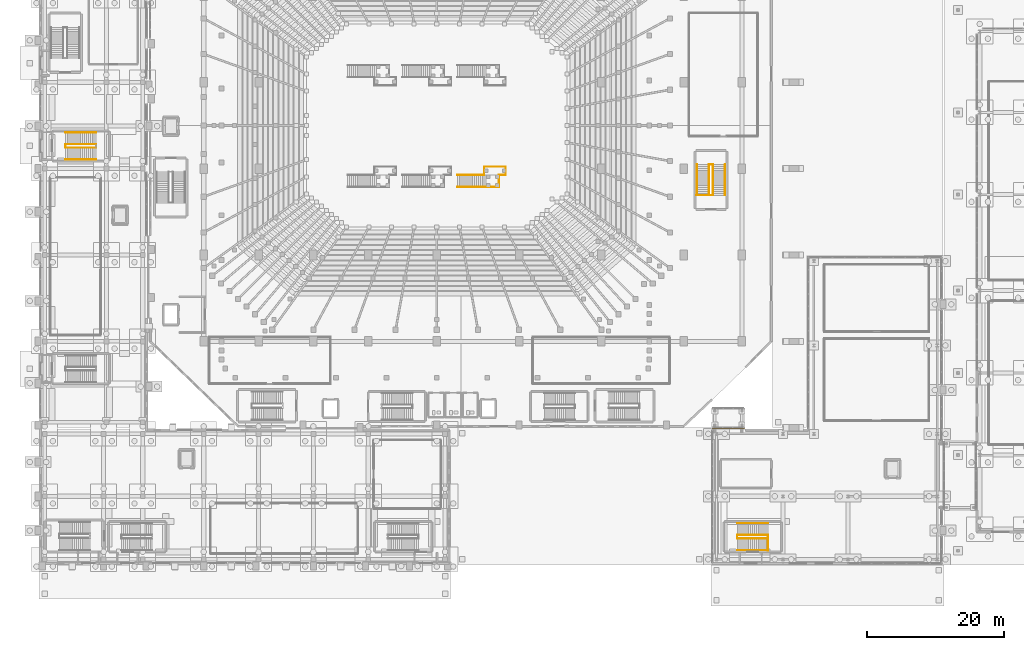
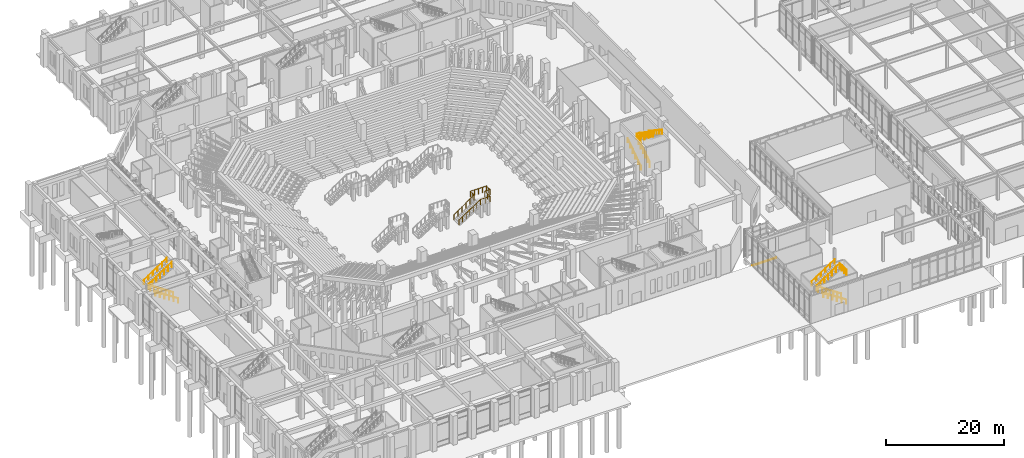
# One storey, part 132 of 143: 12 railings, 1 covering.
"""IFC4 building model written with IfcOpenShell, lengths in metres."""

from ifc_helpers import new_model, si_unit, derived_unit, direction, frame, origin, origin_2d, place, context, subcontext, project, spatial, polyline, circle, outline, extrude, material, layer, layer_set, type_object, element, save


model = new_model("IFC4")

# Units and contexts
model_context = context("Model", 3, precision=1e-05, world=origin(), true_north=direction((0.0, 1.0)))
body_context = subcontext(model_context, "Body", "Model", "MODEL_VIEW")
ifc_project = project(units=[si_unit("LENGTHUNIT", "METRE"), si_unit("AREAUNIT", "SQUARE_METRE"), si_unit("VOLUMEUNIT", "CUBIC_METRE"), si_unit("PLANEANGLEUNIT", "RADIAN"), si_unit("MASSUNIT", "GRAM", prefix="KILO"), derived_unit("THERMALTRANSMITTANCEUNIT", [(si_unit("MASSUNIT", "GRAM", prefix="KILO"), 1), (si_unit("TIMEUNIT", "SECOND"), -3), (si_unit("THERMODYNAMICTEMPERATUREUNIT", "KELVIN"), -1)])], contexts=[model_context])

# Site, building, storey
site_placement = place(None, origin())
site = spatial("IfcSite", under=ifc_project, at=site_placement, CompositionType="ELEMENT")
building_placement = place(site_placement, origin())
building = spatial("IfcBuilding", under=site, at=building_placement, Name="Valcora Ridge Arena", CompositionType="ELEMENT")
storey_placement = place(building_placement, origin())
storey = spatial("IfcBuildingStorey", under=building, at=storey_placement, Name="L00", CompositionType="ELEMENT", Elevation=0.0)

# Covering
ifc_material_1 = material(Name="Steel ASTM A572 Grade 50", Category="steel")
ifc_layer = layer(ifc_material_1, 0.02001953125, Name="Steel ASTM A572 Grade 50")
ifc_layer_set = layer_set([ifc_layer], Name="Steel ASTM A572 Grade 50")
covering_type = type_object("IfcCoveringType", Name="TY-COVERING-COV-SJ-150", PredefinedType="FLOORING", material=ifc_layer_set)
covering_placement = place(storey_placement, frame((0.0, 0.0, -0.02001953125)))
element("IfcCovering", 1, at=covering_placement, inside=storey, type_object=covering_type, Name="COV-SJ-150 COV-SJ-0001", PredefinedType="FLOORING", context=body_context, shape_type="SweptSolid", body=[
    extrude(outline(polyline([(98.199951171875, 19.85009765625), (102.85009765625, 19.85009765625), (102.85009765625, 20.0), (98.199951171875, 20.0), (98.199951171875, 19.85009765625)])), origin(), (0.0, 0.0, 1.0), 0.02001953125),
])

# Railings
ifc_material_2 = material(Name="Galvanized painted steel ASTM A500 Grade B", Category="steel")
railing_type_1 = type_object("IfcRailingType", Name="TY-RAILING-GRD-STAIR-1120", PredefinedType="GUARDRAIL", material=ifc_material_2)
railing_1_placement = place(storey_placement, frame((97.699951171875, 53.909912109375, 0.0)))
element("IfcRailing", 2, at=railing_1_placement, inside=storey, type_object=railing_type_1, Name="GRD-STAIR-1120 RAL-SG-0059", PredefinedType="GUARDRAIL", context=body_context, shape_type="SweptSolid", body=[
    extrude(circle(Radius=0.02392578125, at=origin_2d()), frame((0.0, 0.0, 1.09619140625), z_axis=(0.0, 0.830906055479, 0.556412730775), x_axis=(-1.0, 0.0, 0.0)), (0.0, 0.0, 1.0), 5.3916015625),
    extrude(circle(Radius=0.02392578125, at=origin_2d()), frame((0.0, 4.47998046875, 4.09619140625), z_axis=(1.0, 0.0, 0.0), x_axis=(0.0, 1.0, 0.0)), (0.0, 0.0, 1.0), 0.60009765625),
    extrude(circle(Radius=0.02392578125, at=origin_2d()), frame((0.60009765625, 4.47998046875, 4.09619140625), z_axis=(0.0, -0.830906055479, 0.556412730775), x_axis=(1.0, 0.0, 0.0)), (0.0, 0.0, 1.0), 5.3916015625),
    extrude(circle(Radius=0.02099609375, at=origin_2d()), origin(), (0.0, 0.0, 1.0), 1.072021484375),
    extrude(circle(Radius=0.02099609375, at=origin_2d()), frame((0.0, 0.74658203125, 0.5)), (0.0, 0.0, 1.0), 1.072021484375),
    extrude(circle(Radius=0.02099609375, at=origin_2d()), frame((0.0, 1.493408203125, 1.0)), (0.0, 0.0, 1.0), 1.072021484375),
    extrude(circle(Radius=0.02099609375, at=origin_2d()), frame((0.0, 2.239990234375, 1.5)), (0.0, 0.0, 1.0), 1.072021484375),
    extrude(circle(Radius=0.02099609375, at=origin_2d()), frame((0.0, 2.986572265625, 2.0)), (0.0, 0.0, 1.0), 1.072021484375),
    extrude(circle(Radius=0.02099609375, at=origin_2d()), frame((0.0, 3.7333984375, 2.5)), (0.0, 0.0, 1.0), 1.072021484375),
    extrude(circle(Radius=0.02099609375, at=origin_2d()), frame((0.0, 4.47998046875, 3.0)), (0.0, 0.0, 1.0), 1.072021484375),
    extrude(circle(Radius=0.02099609375, at=origin_2d()), frame((0.60009765625, 4.47998046875, 3.0)), (0.0, 0.0, 1.0), 1.072021484375),
    extrude(circle(Radius=0.02099609375, at=origin_2d()), frame((0.60009765625, 3.7333984375, 3.5)), (0.0, 0.0, 1.0), 1.072021484375),
    extrude(circle(Radius=0.02099609375, at=origin_2d()), frame((0.60009765625, 2.986572265625, 4.0)), (0.0, 0.0, 1.0), 1.072021484375),
    extrude(circle(Radius=0.02099609375, at=origin_2d()), frame((0.60009765625, 2.239990234375, 4.5)), (0.0, 0.0, 1.0), 1.072021484375),
    extrude(circle(Radius=0.02099609375, at=origin_2d()), frame((0.60009765625, 1.493408203125, 5.0)), (0.0, 0.0, 1.0), 1.072021484375),
    extrude(circle(Radius=0.02099609375, at=origin_2d()), frame((0.60009765625, 0.74658203125, 5.5)), (0.0, 0.0, 1.0), 1.072021484375),
    extrude(circle(Radius=0.02099609375, at=origin_2d()), frame((0.60009765625, 0.0, 6.0)), (0.0, 0.0, 1.0), 1.072021484375),
])
railing_2_placement = place(storey_placement, frame((95.85009765625, 53.909912109375, 6.0)))
element("IfcRailing", 3, at=railing_2_placement, inside=storey, type_object=railing_type_1, Name="GRD-STAIR-1120 RAL-SG-0060", PredefinedType="GUARDRAIL", context=body_context, shape_type="SweptSolid", body=[
    extrude(circle(Radius=0.02392578125, at=origin_2d()), frame((0.0, 0.0, 1.09619140625), z_axis=(1.0, 0.0, 0.0), x_axis=(0.0, 1.0, 0.0)), (0.0, 0.0, 1.0), 2.449951171875),
    extrude(circle(Radius=0.02099609375, at=origin_2d()), origin(), (0.0, 0.0, 1.0), 1.072021484375),
    extrude(circle(Radius=0.02099609375, at=origin_2d()), frame((0.816650390625, 0.0, 0.0)), (0.0, 0.0, 1.0), 1.072021484375),
    extrude(circle(Radius=0.02099609375, at=origin_2d()), frame((1.63330078125, 0.0, 0.0)), (0.0, 0.0, 1.0), 1.072021484375),
    extrude(circle(Radius=0.02099609375, at=origin_2d()), frame((2.449951171875, 0.0, 0.0)), (0.0, 0.0, 1.0), 1.072021484375),
])
railing_3_placement = place(storey_placement, frame((8.300048828125, 60.85009765625, 0.0)))
element("IfcRailing", 4, at=railing_3_placement, inside=storey, type_object=railing_type_1, Name="GRD-STAIR-1120 RAL-SG-0149", PredefinedType="GUARDRAIL", context=body_context, shape_type="SweptSolid", body=[
    extrude(circle(Radius=0.02392578125, at=origin_2d()), frame((0.0, 0.0, 1.09619140625), z_axis=(-0.830906055479, 0.0, 0.556412730775), x_axis=(0.0, -1.0, 0.0)), (0.0, 0.0, 1.0), 5.3916015625),
    extrude(circle(Radius=0.02392578125, at=origin_2d()), frame((-4.47998046875, 0.0, 4.09619140625), z_axis=(0.0, 1.0, 0.0), x_axis=(-1.0, 0.0, 0.0)), (0.0, 0.0, 1.0), 0.5),
    extrude(circle(Radius=0.02392578125, at=origin_2d()), frame((-4.47998046875, 0.5, 4.09619140625), z_axis=(0.830906055479, 0.0, 0.556412730775), x_axis=(0.0, 1.0, 0.0)), (0.0, 0.0, 1.0), 5.3916015625),
    extrude(circle(Radius=0.02099609375, at=origin_2d()), origin(), (0.0, 0.0, 1.0), 1.072021484375),
    extrude(circle(Radius=0.02099609375, at=origin_2d()), frame((-0.74658203125, 0.0, 0.5)), (0.0, 0.0, 1.0), 1.072021484375),
    extrude(circle(Radius=0.02099609375, at=origin_2d()), frame((-1.493408203125, 0.0, 1.0)), (0.0, 0.0, 1.0), 1.072021484375),
    extrude(circle(Radius=0.02099609375, at=origin_2d()), frame((-2.239990234375, 0.0, 1.5)), (0.0, 0.0, 1.0), 1.072021484375),
    extrude(circle(Radius=0.02099609375, at=origin_2d()), frame((-2.986572265625, 0.0, 2.0)), (0.0, 0.0, 1.0), 1.072021484375),
    extrude(circle(Radius=0.02099609375, at=origin_2d()), frame((-3.7333984375, 0.0, 2.5)), (0.0, 0.0, 1.0), 1.072021484375),
    extrude(circle(Radius=0.02099609375, at=origin_2d()), frame((-4.47998046875, 0.0, 3.0)), (0.0, 0.0, 1.0), 1.072021484375),
    extrude(circle(Radius=0.02099609375, at=origin_2d()), frame((-4.47998046875, 0.5, 3.0)), (0.0, 0.0, 1.0), 1.072021484375),
    extrude(circle(Radius=0.02099609375, at=origin_2d()), frame((-3.7333984375, 0.5, 3.5)), (0.0, 0.0, 1.0), 1.072021484375),
    extrude(circle(Radius=0.02099609375, at=origin_2d()), frame((-2.986572265625, 0.5, 4.0)), (0.0, 0.0, 1.0), 1.072021484375),
    extrude(circle(Radius=0.02099609375, at=origin_2d()), frame((-2.239990234375, 0.5, 4.5)), (0.0, 0.0, 1.0), 1.072021484375),
    extrude(circle(Radius=0.02099609375, at=origin_2d()), frame((-1.493408203125, 0.5, 5.0)), (0.0, 0.0, 1.0), 1.072021484375),
    extrude(circle(Radius=0.02099609375, at=origin_2d()), frame((-0.74658203125, 0.5, 5.5)), (0.0, 0.0, 1.0), 1.072021484375),
    extrude(circle(Radius=0.02099609375, at=origin_2d()), frame((0.0, 0.5, 6.0)), (0.0, 0.0, 1.0), 1.072021484375),
])
railing_4_placement = place(storey_placement, frame((106.300048828125, 3.85009765625, 0.0)))
element("IfcRailing", 5, at=railing_4_placement, inside=storey, type_object=railing_type_1, Name="GRD-STAIR-1120 RAL-SG-0167", PredefinedType="GUARDRAIL", context=body_context, shape_type="SweptSolid", body=[
    extrude(circle(Radius=0.02392578125, at=origin_2d()), frame((0.0, 0.0, 1.09619140625), z_axis=(-0.830906055479, 0.0, 0.556412730775), x_axis=(0.0, -1.0, 0.0)), (0.0, 0.0, 1.0), 5.3916015625),
    extrude(circle(Radius=0.02392578125, at=origin_2d()), frame((-4.47998046875, 0.0, 4.09619140625), z_axis=(0.0, 1.0, 0.0), x_axis=(-1.0, 0.0, 0.0)), (0.0, 0.0, 1.0), 0.5),
    extrude(circle(Radius=0.02392578125, at=origin_2d()), frame((-4.47998046875, 0.5, 4.09619140625), z_axis=(0.830906055479, 0.0, 0.556412730775), x_axis=(0.0, 1.0, 0.0)), (0.0, 0.0, 1.0), 5.3916015625),
    extrude(circle(Radius=0.02099609375, at=origin_2d()), origin(), (0.0, 0.0, 1.0), 1.072021484375),
    extrude(circle(Radius=0.02099609375, at=origin_2d()), frame((-0.74658203125, 0.0, 0.5)), (0.0, 0.0, 1.0), 1.072021484375),
    extrude(circle(Radius=0.02099609375, at=origin_2d()), frame((-1.493408203125, 0.0, 1.0)), (0.0, 0.0, 1.0), 1.072021484375),
    extrude(circle(Radius=0.02099609375, at=origin_2d()), frame((-2.239990234375, 0.0, 1.5)), (0.0, 0.0, 1.0), 1.072021484375),
    extrude(circle(Radius=0.02099609375, at=origin_2d()), frame((-2.986572265625, 0.0, 2.0)), (0.0, 0.0, 1.0), 1.072021484375),
    extrude(circle(Radius=0.02099609375, at=origin_2d()), frame((-3.7333984375, 0.0, 2.5)), (0.0, 0.0, 1.0), 1.072021484375),
    extrude(circle(Radius=0.02099609375, at=origin_2d()), frame((-4.47998046875, 0.0, 3.0)), (0.0, 0.0, 1.0), 1.072021484375),
    extrude(circle(Radius=0.02099609375, at=origin_2d()), frame((-4.47998046875, 0.5, 3.0)), (0.0, 0.0, 1.0), 1.072021484375),
    extrude(circle(Radius=0.02099609375, at=origin_2d()), frame((-3.7333984375, 0.5, 3.5)), (0.0, 0.0, 1.0), 1.072021484375),
    extrude(circle(Radius=0.02099609375, at=origin_2d()), frame((-2.986572265625, 0.5, 4.0)), (0.0, 0.0, 1.0), 1.072021484375),
    extrude(circle(Radius=0.02099609375, at=origin_2d()), frame((-2.239990234375, 0.5, 4.5)), (0.0, 0.0, 1.0), 1.072021484375),
    extrude(circle(Radius=0.02099609375, at=origin_2d()), frame((-1.493408203125, 0.5, 5.0)), (0.0, 0.0, 1.0), 1.072021484375),
    extrude(circle(Radius=0.02099609375, at=origin_2d()), frame((-0.74658203125, 0.5, 5.5)), (0.0, 0.0, 1.0), 1.072021484375),
    extrude(circle(Radius=0.02099609375, at=origin_2d()), frame((0.0, 0.5, 6.0)), (0.0, 0.0, 1.0), 1.072021484375),
])
railing_5_placement = place(storey_placement, frame((106.300048828125, 2.050048828125, 6.0)))
element("IfcRailing", 6, at=railing_5_placement, inside=storey, type_object=railing_type_1, Name="GRD-STAIR-1120 RAL-SG-0168", PredefinedType="GUARDRAIL", context=body_context, shape_type="SweptSolid", body=[
    extrude(circle(Radius=0.02392578125, at=origin_2d()), frame((0.0, 0.0, 1.09619140625), z_axis=(0.0, 1.0, 0.0), x_axis=(-1.0, 0.0, 0.0)), (0.0, 0.0, 1.0), 2.300048828125),
    extrude(circle(Radius=0.02099609375, at=origin_2d()), origin(), (0.0, 0.0, 1.0), 1.072021484375),
    extrude(circle(Radius=0.02099609375, at=origin_2d()), frame((0.0, 0.7666015625, 0.0)), (0.0, 0.0, 1.0), 1.072021484375),
    extrude(circle(Radius=0.02099609375, at=origin_2d()), frame((0.0, 1.533447265625, 0.0)), (0.0, 0.0, 1.0), 1.072021484375),
    extrude(circle(Radius=0.02099609375, at=origin_2d()), frame((0.0, 2.300048828125, 0.0)), (0.0, 0.0, 1.0), 1.072021484375),
])
railing_6_placement = place(storey_placement, frame((61.0, 55.1298828125, 0.0)))
element("IfcRailing", 7, at=railing_6_placement, inside=storey, type_object=railing_type_1, Name="GRD-STAIR-1120 RAL-SG-0175", PredefinedType="GUARDRAIL", context=body_context, shape_type="SweptSolid", body=[
    extrude(circle(Radius=0.02392578125, at=origin_2d()), frame((0.0, 0.0, 1.09619140625), z_axis=(0.832042853317, 0.0, 0.554711357594), x_axis=(0.0, 1.0, 0.0)), (0.0, 0.0, 1.0), 5.0478515625),
    extrude(circle(Radius=0.02392578125, at=origin_2d()), frame((4.199951171875, 0.0, 3.89599609375), z_axis=(1.0, 0.0, 0.0), x_axis=(0.0, 1.0, 0.0)), (0.0, 0.0, 1.0), 1.8701171875),
    extrude(circle(Radius=0.02392578125, at=origin_2d()), frame((6.070068359375, 0.0, 3.89599609375), z_axis=(0.0, 1.0, 0.0), x_axis=(-1.0, 0.0, 0.0)), (0.0, 0.0, 1.0), 1.740234375),
    extrude(circle(Radius=0.02392578125, at=origin_2d()), frame((6.070068359375, 1.740234375, 3.89599609375), z_axis=(1.0, 0.0, 0.0), x_axis=(0.0, 1.0, 0.0)), (0.0, 0.0, 1.0), 1.0),
    extrude(circle(Radius=0.02392578125, at=origin_2d()), frame((7.070068359375, 1.740234375, 3.89599609375), z_axis=(0.0, 1.0, 0.0), x_axis=(-1.0, 0.0, 0.0)), (0.0, 0.0, 1.0), 1.199951171875),
    extrude(circle(Radius=0.02392578125, at=origin_2d()), frame((7.070068359375, 2.940185546875, 3.89599609375), z_axis=(-1.0, 0.0, 0.0), x_axis=(0.0, -1.0, 0.0)), (0.0, 0.0, 1.0), 3.14013671875),
    extrude(circle(Radius=0.02392578125, at=origin_2d()), frame((3.929931640625, 2.940185546875, 3.89599609375), z_axis=(0.0, -1.0, 0.0), x_axis=(1.0, 0.0, 0.0)), (0.0, 0.0, 1.0), 1.199951171875),
    extrude(circle(Radius=0.02392578125, at=origin_2d()), frame((3.929931640625, 1.740234375, 3.89599609375), z_axis=(-0.814423446672, 0.0, -0.580271013846), x_axis=(0.0, -1.0, 0.0)), (0.0, 0.0, 1.0), 4.825439453125),
    extrude(circle(Radius=0.02099609375, at=origin_2d()), origin(), (0.0, 0.0, 1.0), 1.072021484375),
    extrude(circle(Radius=0.02099609375, at=origin_2d()), frame((0.699951171875, 0.0, 0.466796875)), (0.0, 0.0, 1.0), 1.072021484375),
    extrude(circle(Radius=0.02099609375, at=origin_2d()), frame((1.39990234375, 0.0, 0.933349609375)), (0.0, 0.0, 1.0), 1.072021484375),
    extrude(circle(Radius=0.02099609375, at=origin_2d()), frame((2.10009765625, 0.0, 1.39990234375)), (0.0, 0.0, 1.0), 1.072021484375),
    extrude(circle(Radius=0.02099609375, at=origin_2d()), frame((2.800048828125, 0.0, 1.86669921875)), (0.0, 0.0, 1.0), 1.072021484375),
    extrude(circle(Radius=0.02099609375, at=origin_2d()), frame((3.5, 0.0, 2.33349609375)), (0.0, 0.0, 1.0), 1.072021484375),
    extrude(circle(Radius=0.02099609375, at=origin_2d()), frame((4.199951171875, 0.0, 2.800048828125)), (0.0, 0.0, 1.0), 1.072021484375),
    extrude(circle(Radius=0.02099609375, at=origin_2d()), frame((5.135009765625, 0.0, 2.800048828125)), (0.0, 0.0, 1.0), 1.072021484375),
    extrude(circle(Radius=0.02099609375, at=origin_2d()), frame((6.070068359375, 0.0, 2.800048828125)), (0.0, 0.0, 1.0), 1.072021484375),
    extrude(circle(Radius=0.02099609375, at=origin_2d()), frame((6.070068359375, 0.8701171875, 2.800048828125)), (0.0, 0.0, 1.0), 1.072021484375),
    extrude(circle(Radius=0.02099609375, at=origin_2d()), frame((6.070068359375, 1.740234375, 2.800048828125)), (0.0, 0.0, 1.0), 1.072021484375),
    extrude(circle(Radius=0.02099609375, at=origin_2d()), frame((7.070068359375, 1.740234375, 2.800048828125)), (0.0, 0.0, 1.0), 1.072021484375),
    extrude(circle(Radius=0.02099609375, at=origin_2d()), frame((7.070068359375, 2.34033203125, 2.800048828125)), (0.0, 0.0, 1.0), 1.072021484375),
    extrude(circle(Radius=0.02099609375, at=origin_2d()), frame((7.070068359375, 2.940185546875, 2.800048828125)), (0.0, 0.0, 1.0), 1.072021484375),
    extrude(circle(Radius=0.02099609375, at=origin_2d()), frame((6.28515625, 2.940185546875, 2.800048828125)), (0.0, 0.0, 1.0), 1.072021484375),
    extrude(circle(Radius=0.02099609375, at=origin_2d()), frame((5.5, 2.940185546875, 2.800048828125)), (0.0, 0.0, 1.0), 1.072021484375),
    extrude(circle(Radius=0.02099609375, at=origin_2d()), frame((4.71484375, 2.940185546875, 2.800048828125)), (0.0, 0.0, 1.0), 1.072021484375),
    extrude(circle(Radius=0.02099609375, at=origin_2d()), frame((3.929931640625, 2.940185546875, 2.800048828125)), (0.0, 0.0, 1.0), 1.072021484375),
    extrude(circle(Radius=0.02099609375, at=origin_2d()), frame((3.929931640625, 2.34033203125, 2.800048828125)), (0.0, 0.0, 1.0), 1.072021484375),
    extrude(circle(Radius=0.02099609375, at=origin_2d()), frame((3.929931640625, 1.740234375, 2.800048828125)), (0.0, 0.0, 1.0), 1.072021484375),
    extrude(circle(Radius=0.02099609375, at=origin_2d()), frame((3.14404296875, 1.740234375, 2.239990234375)), (0.0, 0.0, 1.0), 1.072021484375),
    extrude(circle(Radius=0.02099609375, at=origin_2d()), frame((2.35791015625, 1.740234375, 1.679931640625)), (0.0, 0.0, 1.0), 1.072021484375),
    extrude(circle(Radius=0.02099609375, at=origin_2d()), frame((1.572021484375, 1.740234375, 1.1201171875)), (0.0, 0.0, 1.0), 1.072021484375),
    extrude(circle(Radius=0.02099609375, at=origin_2d()), frame((0.785888671875, 1.740234375, 0.56005859375)), (0.0, 0.0, 1.0), 1.072021484375),
    extrude(circle(Radius=0.02099609375, at=origin_2d()), frame((0.0, 1.740234375, 0.0)), (0.0, 0.0, 1.0), 1.072021484375),
])
railing_type_2 = type_object("IfcRailingType", Name="TY-RAILING-HR-STAIR-900", PredefinedType="HANDRAIL", material=ifc_material_2)
railing_7_placement = place(storey_placement, frame((95.93994140625, 53.909912109375, 0.0)))
element("IfcRailing", 8, at=railing_7_placement, inside=storey, type_object=railing_type_2, Name="HR-STAIR-900 RAL-SH-0059", PredefinedType="HANDRAIL", context=body_context, shape_type="SweptSolid", body=[
    extrude(circle(Radius=0.02392578125, at=origin_2d()), frame((0.0, 0.0, 0.8759765625), z_axis=(0.0, 0.830906055479, 0.556412730775), x_axis=(-1.0, 0.0, 0.0)), (0.0, 0.0, 1.0), 5.3916015625),
    extrude(circle(Radius=0.02099609375, at=origin_2d()), origin(), (0.0, 0.0, 1.0), 0.851806640625),
    extrude(circle(Radius=0.02099609375, at=origin_2d()), frame((0.0, 0.89599609375, 0.60009765625)), (0.0, 0.0, 1.0), 0.851806640625),
    extrude(circle(Radius=0.02099609375, at=origin_2d()), frame((0.0, 1.7919921875, 1.199951171875)), (0.0, 0.0, 1.0), 0.851806640625),
    extrude(circle(Radius=0.02099609375, at=origin_2d()), frame((0.0, 2.68798828125, 1.800048828125)), (0.0, 0.0, 1.0), 0.851806640625),
    extrude(circle(Radius=0.02099609375, at=origin_2d()), frame((0.0, 3.583984375, 2.39990234375)), (0.0, 0.0, 1.0), 0.851806640625),
    extrude(circle(Radius=0.02099609375, at=origin_2d()), frame((0.0, 4.47998046875, 3.0)), (0.0, 0.0, 1.0), 0.851806640625),
])
railing_8_placement = place(storey_placement, frame((100.06005859375, 58.389892578125, 3.0)))
element("IfcRailing", 9, at=railing_8_placement, inside=storey, type_object=railing_type_2, Name="HR-STAIR-900 RAL-SH-0060", PredefinedType="HANDRAIL", context=body_context, shape_type="SweptSolid", body=[
    extrude(circle(Radius=0.02392578125, at=origin_2d()), frame((0.0, 0.0, 0.8759765625), z_axis=(0.0, -0.830906055479, 0.556412730775), x_axis=(1.0, 0.0, 0.0)), (0.0, 0.0, 1.0), 5.3916015625),
    extrude(circle(Radius=0.02099609375, at=origin_2d()), origin(), (0.0, 0.0, 1.0), 0.851806640625),
    extrude(circle(Radius=0.02099609375, at=origin_2d()), frame((0.0, -0.89599609375, 0.60009765625)), (0.0, 0.0, 1.0), 0.851806640625),
    extrude(circle(Radius=0.02099609375, at=origin_2d()), frame((0.0, -1.7919921875, 1.199951171875)), (0.0, 0.0, 1.0), 0.851806640625),
    extrude(circle(Radius=0.02099609375, at=origin_2d()), frame((0.0, -2.68798828125, 1.800048828125)), (0.0, 0.0, 1.0), 0.851806640625),
    extrude(circle(Radius=0.02099609375, at=origin_2d()), frame((0.0, -3.583984375, 2.39990234375)), (0.0, 0.0, 1.0), 0.851806640625),
    extrude(circle(Radius=0.02099609375, at=origin_2d()), frame((0.0, -4.47998046875, 3.0)), (0.0, 0.0, 1.0), 0.851806640625),
])
railing_9_placement = place(storey_placement, frame((8.300048828125, 59.139892578125, 0.0)))
element("IfcRailing", 10, at=railing_9_placement, inside=storey, type_object=railing_type_2, Name="HR-STAIR-900 RAL-SH-0149", PredefinedType="HANDRAIL", context=body_context, shape_type="SweptSolid", body=[
    extrude(circle(Radius=0.02392578125, at=origin_2d()), frame((0.0, 0.0, 0.8759765625), z_axis=(-0.830906055479, 0.0, 0.556412730775), x_axis=(0.0, -1.0, 0.0)), (0.0, 0.0, 1.0), 5.3916015625),
    extrude(circle(Radius=0.02099609375, at=origin_2d()), origin(), (0.0, 0.0, 1.0), 0.851806640625),
    extrude(circle(Radius=0.02099609375, at=origin_2d()), frame((-0.89599609375, 0.0, 0.60009765625)), (0.0, 0.0, 1.0), 0.851806640625),
    extrude(circle(Radius=0.02099609375, at=origin_2d()), frame((-1.7919921875, 0.0, 1.199951171875)), (0.0, 0.0, 1.0), 0.851806640625),
    extrude(circle(Radius=0.02099609375, at=origin_2d()), frame((-2.68798828125, 0.0, 1.800048828125)), (0.0, 0.0, 1.0), 0.851806640625),
    extrude(circle(Radius=0.02099609375, at=origin_2d()), frame((-3.583984375, 0.0, 2.39990234375)), (0.0, 0.0, 1.0), 0.851806640625),
    extrude(circle(Radius=0.02099609375, at=origin_2d()), frame((-4.47998046875, 0.0, 3.0)), (0.0, 0.0, 1.0), 0.851806640625),
])
railing_10_placement = place(storey_placement, frame((3.820068359375, 63.06005859375, 3.0)))
element("IfcRailing", 11, at=railing_10_placement, inside=storey, type_object=railing_type_2, Name="HR-STAIR-900 RAL-SH-0150", PredefinedType="HANDRAIL", context=body_context, shape_type="SweptSolid", body=[
    extrude(circle(Radius=0.02392578125, at=origin_2d()), frame((0.0, 0.0, 0.8759765625), z_axis=(0.830906055479, 0.0, 0.556412730775), x_axis=(0.0, 1.0, 0.0)), (0.0, 0.0, 1.0), 5.3916015625),
    extrude(circle(Radius=0.02099609375, at=origin_2d()), origin(), (0.0, 0.0, 1.0), 0.851806640625),
    extrude(circle(Radius=0.02099609375, at=origin_2d()), frame((0.89599609375, 0.0, 0.60009765625)), (0.0, 0.0, 1.0), 0.851806640625),
    extrude(circle(Radius=0.02099609375, at=origin_2d()), frame((1.7919921875, 0.0, 1.199951171875)), (0.0, 0.0, 1.0), 0.851806640625),
    extrude(circle(Radius=0.02099609375, at=origin_2d()), frame((2.68798828125, 0.0, 1.800048828125)), (0.0, 0.0, 1.0), 0.851806640625),
    extrude(circle(Radius=0.02099609375, at=origin_2d()), frame((3.583984375, 0.0, 2.39990234375)), (0.0, 0.0, 1.0), 0.851806640625),
    extrude(circle(Radius=0.02099609375, at=origin_2d()), frame((4.47998046875, 0.0, 3.0)), (0.0, 0.0, 1.0), 0.851806640625),
])
railing_11_placement = place(storey_placement, frame((106.300048828125, 2.139892578125, 0.0)))
element("IfcRailing", 12, at=railing_11_placement, inside=storey, type_object=railing_type_2, Name="HR-STAIR-900 RAL-SH-0167", PredefinedType="HANDRAIL", context=body_context, shape_type="SweptSolid", body=[
    extrude(circle(Radius=0.02392578125, at=origin_2d()), frame((0.0, 0.0, 0.8759765625), z_axis=(-0.830906055479, 0.0, 0.556412730775), x_axis=(0.0, -1.0, 0.0)), (0.0, 0.0, 1.0), 5.3916015625),
    extrude(circle(Radius=0.02099609375, at=origin_2d()), origin(), (0.0, 0.0, 1.0), 0.851806640625),
    extrude(circle(Radius=0.02099609375, at=origin_2d()), frame((-0.89599609375, 0.0, 0.60009765625)), (0.0, 0.0, 1.0), 0.851806640625),
    extrude(circle(Radius=0.02099609375, at=origin_2d()), frame((-1.7919921875, 0.0, 1.199951171875)), (0.0, 0.0, 1.0), 0.851806640625),
    extrude(circle(Radius=0.02099609375, at=origin_2d()), frame((-2.68798828125, 0.0, 1.800048828125)), (0.0, 0.0, 1.0), 0.851806640625),
    extrude(circle(Radius=0.02099609375, at=origin_2d()), frame((-3.583984375, 0.0, 2.39990234375)), (0.0, 0.0, 1.0), 0.851806640625),
    extrude(circle(Radius=0.02099609375, at=origin_2d()), frame((-4.47998046875, 0.0, 3.0)), (0.0, 0.0, 1.0), 0.851806640625),
])
railing_12_placement = place(storey_placement, frame((101.820068359375, 6.06005859375, 3.0)))
element("IfcRailing", 13, at=railing_12_placement, inside=storey, type_object=railing_type_2, Name="HR-STAIR-900 RAL-SH-0168", PredefinedType="HANDRAIL", context=body_context, shape_type="SweptSolid", body=[
    extrude(circle(Radius=0.02392578125, at=origin_2d()), frame((0.0, 0.0, 0.8759765625), z_axis=(0.830906055479, 0.0, 0.556412730775), x_axis=(0.0, 1.0, 0.0)), (0.0, 0.0, 1.0), 5.3916015625),
    extrude(circle(Radius=0.02099609375, at=origin_2d()), origin(), (0.0, 0.0, 1.0), 0.851806640625),
    extrude(circle(Radius=0.02099609375, at=origin_2d()), frame((0.89599609375, 0.0, 0.60009765625)), (0.0, 0.0, 1.0), 0.851806640625),
    extrude(circle(Radius=0.02099609375, at=origin_2d()), frame((1.7919921875, 0.0, 1.199951171875)), (0.0, 0.0, 1.0), 0.851806640625),
    extrude(circle(Radius=0.02099609375, at=origin_2d()), frame((2.68798828125, 0.0, 1.800048828125)), (0.0, 0.0, 1.0), 0.851806640625),
    extrude(circle(Radius=0.02099609375, at=origin_2d()), frame((3.583984375, 0.0, 2.39990234375)), (0.0, 0.0, 1.0), 0.851806640625),
    extrude(circle(Radius=0.02099609375, at=origin_2d()), frame((4.47998046875, 0.0, 3.0)), (0.0, 0.0, 1.0), 0.851806640625),
])

save(model, "model.ifc")
